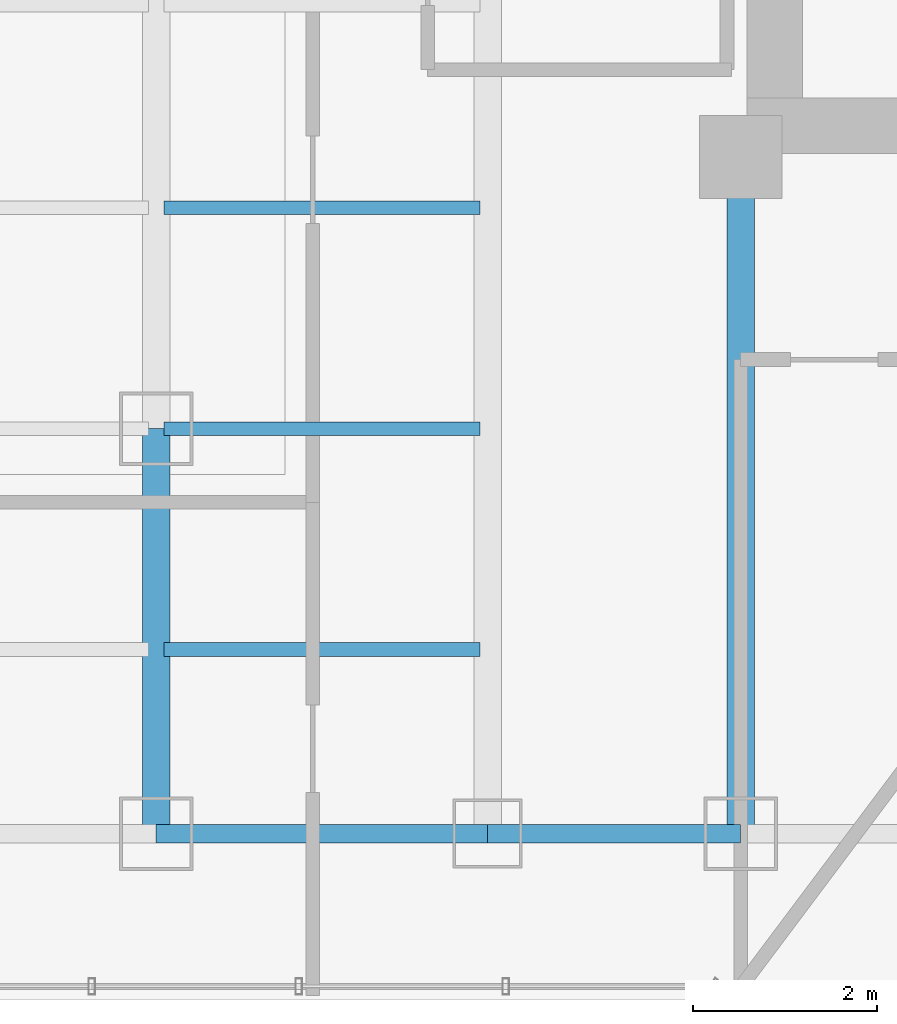
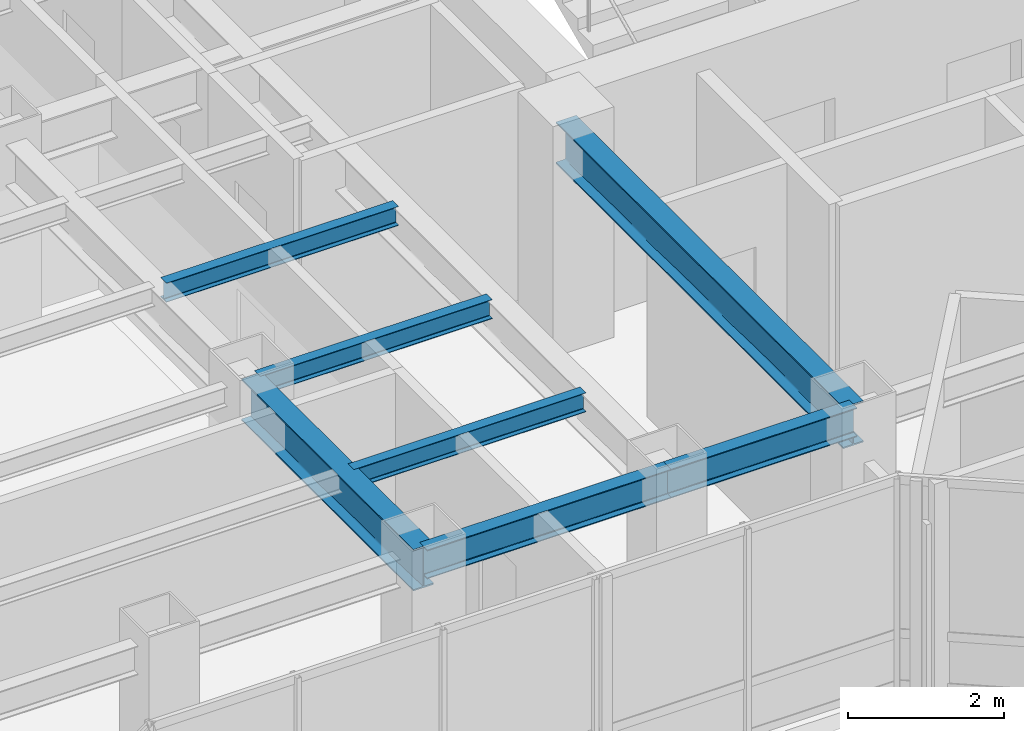
# One storey, part 8 of 29: 7 beams.
"""IFC4 building model written with IfcOpenShell, lengths in metres."""

from ifc_helpers import new_model, si_unit, direction, frame, origin, origin_2d, place, context, subcontext, project, spatial, i_section, extrude, material, material_profile, profile_set, type_object, element, save


model = new_model("IFC4")

# Units and contexts
model_context = context("Model", 3, precision=1e-05, world=origin(), true_north=direction((0.0, 1.0)))
body_context = subcontext(model_context, "Body", "Model", "MODEL_VIEW")
ifc_project = project(units=[si_unit("LENGTHUNIT", "METRE"), si_unit("AREAUNIT", "SQUARE_METRE"), si_unit("VOLUMEUNIT", "CUBIC_METRE"), si_unit("PLANEANGLEUNIT", "RADIAN"), si_unit("MASSUNIT", "GRAM", prefix="KILO")], contexts=[model_context])

# Site, building, storey
site_placement = place(None, origin())
site = spatial("IfcSite", under=ifc_project, at=site_placement, CompositionType="ELEMENT")
building_placement = place(site_placement, origin())
building = spatial("IfcBuilding", under=site, at=building_placement, Name="Hatsunagi Terrace Concourse", CompositionType="ELEMENT")
storey_placement = place(building_placement, frame((0.0, 0.0, 178.050048828125)))
storey = spatial("IfcBuildingStorey", under=building, at=storey_placement, Name="L47", CompositionType="ELEMENT", Elevation=178.050048828125)

# Beams
ifc_material_1 = material(Name="Steel SN490B", Category="steel")
ifc_material_profile_1 = material_profile(ifc_material_1, i_section(OverallWidth=0.14990234375, OverallDepth=0.300048828125, WebThickness=0.006591796875, FlangeThickness=0.009033203125, FilletRadius=0.010986328125, at=origin_2d()), Name="H-300x150x6.5x9")
ifc_profile_set_1 = profile_set([ifc_material_profile_1], Name="Steel SN490B")
beam_type_1 = type_object("IfcBeamType", Name="OfficeJoist_H_300x150", PredefinedType="JOIST", material=ifc_profile_set_1)
for number, where, z_axis, x_axis, name in (
    (1, (19.284912109375, 27.199951171875, 3.14990234375), (1.0, 0.0, 0.0), (0.0, 1.0, 0.0), "Beam J-03 J-L47-W-19-272"),
    (2, (19.284912109375, 29.60009765625, 3.14990234375), (1.0, 0.0, 0.0), (0.0, 1.0, 0.0), "Beam J-03 J-L47-W-19-296"),
    (3, (19.284912109375, 32.0, 3.14990234375), (1.0, 0.0, 0.0), (0.0, 1.0, 0.0), "Beam J-03 J-L47-W-19-320"),
):
    element("IfcBeam", number, at=place(storey_placement, frame(where, z_axis=z_axis, x_axis=x_axis)), inside=storey, type_object=beam_type_1, Name=name, PredefinedType="JOIST", context=body_context, shape_type="SweptSolid", body=[
        extrude(i_section(OverallWidth=0.14990234375, OverallDepth=0.300048828125, WebThickness=0.006591796875, FlangeThickness=0.009033203125, FilletRadius=0.010986328125, at=origin_2d()), origin(), (0.0, 0.0, 1.0), 3.43017578125),
    ])
ifc_material_2 = material(Name="Steel SN490B", Category="steel")
ifc_material_profile_2 = material_profile(ifc_material_2, i_section(OverallWidth=0.300048828125, OverallDepth=0.64990234375, WebThickness=0.012939453125, FlangeThickness=0.02197265625, FilletRadius=0.01806640625, at=origin_2d()), Name="H-650x300x13x22")
ifc_profile_set_2 = profile_set([ifc_material_profile_2], Name="Steel SN490B")
beam_type_2 = type_object("IfcBeamType", Name="OfficeLowGirder_H_650x300", PredefinedType="BEAM", material=ifc_profile_set_2)
beam_1_placement = place(storey_placement, frame((25.550048828125, 25.199951171875, 2.974853515625), z_axis=(0.0, 1.0, 0.0), x_axis=(-1.0, 0.0, 0.0)))
element("IfcBeam", 4, at=beam_1_placement, inside=storey, type_object=beam_type_2, Name="Beam G-05 BM-L47-K1CA", PredefinedType="BEAM", context=body_context, shape_type="SweptSolid", body=[
    extrude(i_section(OverallWidth=0.300048828125, OverallDepth=0.64990234375, WebThickness=0.012939453125, FlangeThickness=0.02197265625, FilletRadius=0.01806640625, at=origin_2d()), origin(), (0.0, 0.0, 1.0), 7.35009765625),
])
beam_2_placement = place(storey_placement, frame((19.199951171875, 25.199951171875, 2.974853515625), z_axis=(0.0, 1.0, 0.0), x_axis=(-1.0, 0.0, 0.0)))
element("IfcBeam", 5, at=beam_2_placement, inside=storey, type_object=beam_type_2, Name="Beam G-05 BM-L47-NS-19-25", PredefinedType="BEAM", context=body_context, shape_type="SweptSolid", body=[
    extrude(i_section(OverallWidth=0.300048828125, OverallDepth=0.64990234375, WebThickness=0.012939453125, FlangeThickness=0.02197265625, FilletRadius=0.01806640625, at=origin_2d()), origin(), (0.0, 0.0, 1.0), 4.400146484375),
])
ifc_material_3 = material(Name="Steel SN490B", Category="steel")
ifc_material_profile_3 = material_profile(ifc_material_3, i_section(OverallWidth=0.199951171875, OverallDepth=0.449951171875, WebThickness=0.009033203125, FlangeThickness=0.013916015625, FilletRadius=0.01611328125, at=origin_2d()), Name="H-450x200x9x14")
ifc_profile_set_3 = profile_set([ifc_material_profile_3], Name="Steel SN490B")
beam_type_3 = type_object("IfcBeamType", Name="PerimeterSpandrel_H_450x200", PredefinedType="SPANDREL", material=ifc_profile_set_3)
beam_3_placement = place(storey_placement, frame((19.199951171875, 25.199951171875, 3.074951171875), z_axis=(1.0, 0.0, 0.0), x_axis=(0.0, 1.0, 0.0)))
element("IfcBeam", 6, at=beam_3_placement, inside=storey, type_object=beam_type_3, Name="Beam SP-02 BM-L47-WS-19", PredefinedType="SPANDREL", context=body_context, shape_type="SweptSolid", body=[
    extrude(i_section(OverallWidth=0.199951171875, OverallDepth=0.449951171875, WebThickness=0.009033203125, FlangeThickness=0.013916015625, FilletRadius=0.01611328125, at=origin_2d()), origin(), (0.0, 0.0, 1.0), 3.60009765625),
])
beam_4_placement = place(storey_placement, frame((22.800048828125, 25.199951171875, 3.074951171875), z_axis=(1.0, 0.0, 0.0), x_axis=(0.0, 1.0, 0.0)))
element("IfcBeam", 7, at=beam_4_placement, inside=storey, type_object=beam_type_3, Name="Beam SP-02 BM-L47-WS-22", PredefinedType="SPANDREL", context=body_context, shape_type="SweptSolid", body=[
    extrude(i_section(OverallWidth=0.199951171875, OverallDepth=0.449951171875, WebThickness=0.009033203125, FlangeThickness=0.013916015625, FilletRadius=0.01611328125, at=origin_2d()), origin(), (0.0, 0.0, 1.0), 2.75),
])

save(model, "model.ifc")
